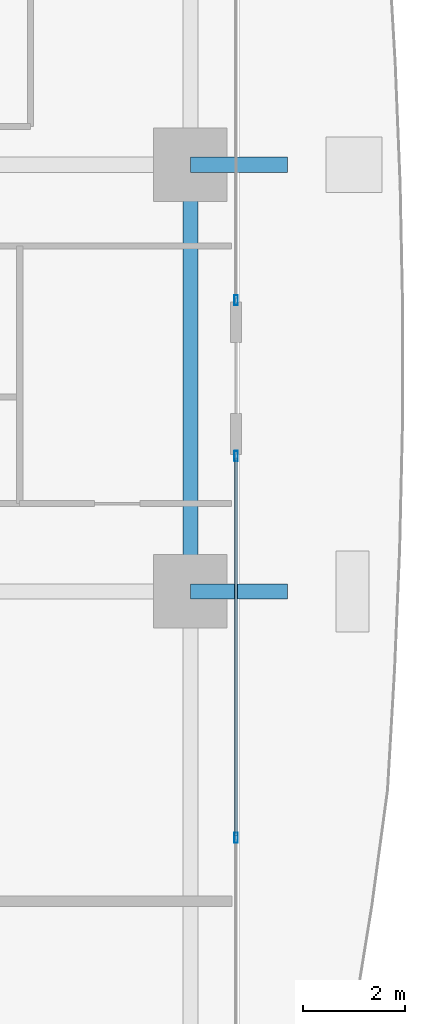
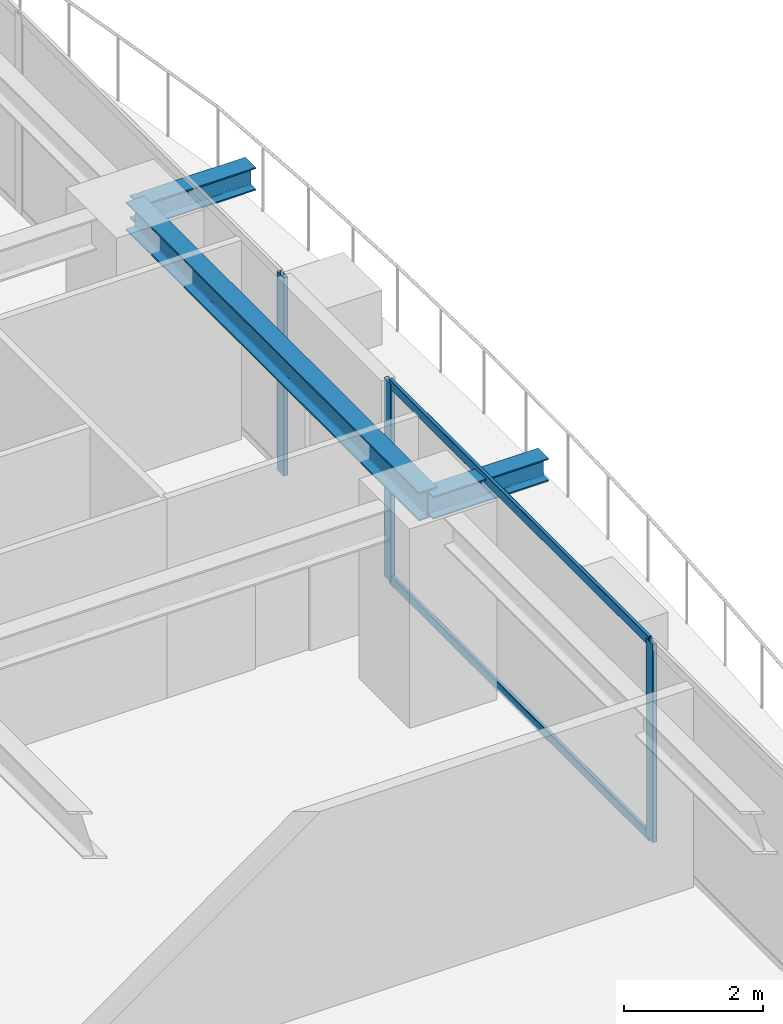
# One storey, part 14 of 39: 5 members, 3 beams, 2 elements without a shape of their own.
"""IFC4 building model written with IfcOpenShell, lengths in metres."""

from ifc_helpers import new_model, si_unit, direction, frame, origin, origin_2d, place, context, subcontext, project, spatial, hollow_rectangle, i_section, extrude, source, transform, mapped, material, layer, layer_set, material_profile, profile_set, type_object, element, aggregate, save


model = new_model("IFC4")

# Units and contexts
model_context = context("Model", 3, precision=1e-05, world=origin(), true_north=direction((0.0, 1.0)))
body_context = subcontext(model_context, "Body", "Model", "MODEL_VIEW")
ifc_project = project(units=[si_unit("LENGTHUNIT", "METRE"), si_unit("AREAUNIT", "SQUARE_METRE"), si_unit("VOLUMEUNIT", "CUBIC_METRE"), si_unit("PLANEANGLEUNIT", "RADIAN"), si_unit("MASSUNIT", "GRAM", prefix="KILO")], contexts=[model_context])

# Site, building, storey
site_placement = place(None, origin())
site = spatial("IfcSite", under=ifc_project, at=site_placement, CompositionType="ELEMENT")
building_placement = place(site_placement, origin())
building = spatial("IfcBuilding", under=site, at=building_placement, Name="Serunith Strait Residences", CompositionType="ELEMENT")
storey_placement = place(building_placement, frame((0.0, 0.0, 97.949951171875)))
storey = spatial("IfcBuildingStorey", under=building, at=storey_placement, Name="L24", CompositionType="ELEMENT", Elevation=97.949951171875)

# Beams
ifc_material_1 = material(Name="Steel S355J2", Category="steel")
ifc_material_profile_1 = material_profile(ifc_material_1, i_section(OverallWidth=0.300048828125, OverallDepth=0.5, WebThickness=0.014404296875, FlangeThickness=0.028076171875, FilletRadius=0.027099609375, at=origin_2d()), Name="HEB 500")
ifc_profile_set_1 = profile_set([ifc_material_profile_1], Name="Steel S355J2")
beam_type_1 = type_object("IfcBeamType", Name="BM-HEB500", PredefinedType="BEAM", material=ifc_profile_set_1)
shared_shape_1 = source(origin(), body_context, "Body", "SweptSolid", [
    extrude(i_section(OverallWidth=0.300048828125, OverallDepth=0.5, WebThickness=0.014404296875, FlangeThickness=0.028076171875, FilletRadius=0.027099609375, at=origin_2d()), origin(), (0.0, 0.0, 1.0), 8.39990234375),
])
beam_placement = place(storey_placement, frame((57.89990234375, 21.0, 3.237060546875), z_axis=(0.0, 1.0, 0.0), x_axis=(-1.0, 0.0, 0.0)))
element("IfcBeam", 1, at=beam_placement, inside=storey, type_object=beam_type_1, Name="L24 Perimeter Ring Beam 06", PredefinedType="BEAM", context=body_context, shape_type="MappedRepresentation", body=[
    mapped(shared_shape_1, transform((0.0, 0.0, 0.0), scale=1.0)),
])
ifc_material_profile_2 = material_profile(ifc_material_1, i_section(OverallWidth=0.300048828125, OverallDepth=0.39990234375, WebThickness=0.013427734375, FlangeThickness=0.02392578125, FilletRadius=0.027099609375, at=origin_2d()), Name="HEB 400")
ifc_profile_set_2 = profile_set([ifc_material_profile_2], Name="Steel S355J2")
beam_type_2 = type_object("IfcBeamType", Name="BM-HEB400", PredefinedType="BEAM", material=ifc_profile_set_2)
shared_shape_2 = source(origin(), body_context, "Body", "SweptSolid", [
    extrude(i_section(OverallWidth=0.300048828125, OverallDepth=0.39990234375, WebThickness=0.013427734375, FlangeThickness=0.02392578125, FilletRadius=0.027099609375, at=origin_2d()), origin(), (0.0, 0.0, 1.0), 1.91015625),
])
for number, where, z_axis, x_axis, name in (
    (2, (57.89990234375, 21.0, 3.257080078125), (1.0, 0.0, 0.0), (0.0, 1.0, 0.0), "L25 Cantilevered Balcony Rib TC-E2"),
    (3, (57.89990234375, 29.39990234375, 3.257080078125), (1.0, 0.0, 0.0), (0.0, 1.0, 0.0), "L25 Cantilevered Balcony Rib TC-E3"),
):
    element("IfcBeam", number, at=place(storey_placement, frame(where, z_axis=z_axis, x_axis=x_axis)), inside=storey, type_object=beam_type_2, Name=name, PredefinedType="BEAM", context=body_context, shape_type="MappedRepresentation", body=[
        mapped(shared_shape_2, transform((0.0, 0.0, 0.0), scale=1.0)),
    ])

# Curtain wall, members
ifc_material_2 = material(Name="Pale-Champagne Anodised Aluminium", Category="aluminium")
ifc_layer = layer(ifc_material_2, 0.199951171875, Name="Pale-Champagne Anodised Aluminium")
ifc_layer_set = layer_set([ifc_layer], Name="Pale-Champagne Anodised Aluminium")
curtain_wall_type = type_object("IfcCurtainWallType", Name="CW-SYS1", PredefinedType="NOTDEFINED", material=ifc_layer_set)
curtain_wall_1_placement = place(storey_placement, origin())
curtain_wall_1 = element("IfcCurtainWall", 4, at=curtain_wall_1_placement, inside=storey, type_object=curtain_wall_type, Name="L24 E Unitised Fritted Curtain Wall", PredefinedType="NOTDEFINED")
ifc_material_profile_3 = material_profile(ifc_material_2, hollow_rectangle(XDim=0.070068359375, YDim=0.199951171875, WallThickness=0.00390625, InnerFilletRadius=0.006103515625, OuterFilletRadius=0.010009765625, at=origin_2d()), Name="ALU 200x70x4")
ifc_profile_set_3 = profile_set([ifc_material_profile_3], Name="Pale-Champagne Anodised Aluminium")
member_type_1 = type_object("IfcMemberType", Name="CW-SYS1-MULL", PredefinedType="MULLION", material=ifc_profile_set_3)
shared_shape_3 = source(origin(), body_context, "Body", "SweptSolid", [
    extrude(hollow_rectangle(XDim=0.070068359375, YDim=0.199951171875, WallThickness=0.00390625, InnerFilletRadius=0.006103515625, OuterFilletRadius=0.010009765625, at=origin_2d()), origin(), (0.0, 0.0, 1.0), 3.47509765625),
])
member_1_placement = place(storey_placement, frame((58.800048828125, 16.14990234375, 0.0), z_axis=(0.0, 0.0, 1.0), x_axis=(-1.0, 0.0, 0.0)))
member_1 = element("IfcMember", 5, at=member_1_placement, type_object=member_type_1, Name="CW-1 mullion 2", PredefinedType="MULLION", context=body_context, shape_type="MappedRepresentation", body=[
    mapped(shared_shape_3, transform((0.0, 0.0, 0.0), scale=1.0)),
])
member_2_placement = place(storey_placement, frame((58.800048828125, 23.6650390625, 0.0), z_axis=(0.0, 0.0, 1.0), x_axis=(-1.0, 0.0, 0.0)))
member_2 = element("IfcMember", 6, at=member_2_placement, type_object=member_type_1, Name="CW-1 mullion 3", PredefinedType="MULLION", context=body_context, shape_type="MappedRepresentation", body=[
    mapped(shared_shape_3, transform((0.0, 0.0, 0.0), scale=1.0)),
])

# Curtain wall, member
curtain_wall_2_placement = place(storey_placement, origin())
curtain_wall_2 = element("IfcCurtainWall", 7, at=curtain_wall_2_placement, inside=storey, type_object=curtain_wall_type, Name="L24 E Unitised Fritted Curtain Wall", PredefinedType="NOTDEFINED")
member_3_placement = place(storey_placement, frame((58.800048828125, 26.735107421875, 0.0), z_axis=(0.0, 0.0, 1.0), x_axis=(-1.0, 0.0, 0.0)))
member_3 = element("IfcMember", 8, at=member_3_placement, type_object=member_type_1, Name="CW-1 mullion 1", PredefinedType="MULLION", context=body_context, shape_type="MappedRepresentation", body=[
    mapped(shared_shape_3, transform((0.0, 0.0, 0.0), scale=1.0)),
])
aggregate(curtain_wall_2, [member_3])

# Member
ifc_material_profile_4 = material_profile(ifc_material_2, hollow_rectangle(XDim=0.06005859375, YDim=0.159912109375, WallThickness=0.00341796875, InnerFilletRadius=0.00537109375, OuterFilletRadius=0.0087890625, at=origin_2d()), Name="ALU 160x60x3.5")
ifc_profile_set_4 = profile_set([ifc_material_profile_4], Name="Pale-Champagne Anodised Aluminium")
member_type_2 = type_object("IfcMemberType", Name="CW-SYS1-TRAN", PredefinedType="USERDEFINED", material=ifc_profile_set_4)
shared_shape_4 = source(origin(), body_context, "Body", "SweptSolid", [
    extrude(hollow_rectangle(XDim=0.06005859375, YDim=0.159912109375, WallThickness=0.00341796875, InnerFilletRadius=0.00537109375, OuterFilletRadius=0.0087890625, at=origin_2d()), origin(), (0.0, 0.0, 1.0), 7.44482421875),
])
member_4_placement = place(storey_placement, frame((58.800048828125, 16.18505859375, 0.030029296875), z_axis=(0.0, 1.0, 0.0), x_axis=(-1.0, 0.0, 0.0)))
member_4 = element("IfcMember", 9, at=member_4_placement, type_object=member_type_2, Name="CW-1 transom 2.1", ObjectType="TRANSOM", PredefinedType="USERDEFINED", context=body_context, shape_type="MappedRepresentation", body=[
    mapped(shared_shape_4, transform((0.0, 0.0, 0.0), scale=1.0)),
])

member_5_placement = place(storey_placement, frame((58.800048828125, 16.18505859375, 3.445068359375), z_axis=(0.0, 1.0, 0.0), x_axis=(-1.0, 0.0, 0.0)))
member_5 = element("IfcMember", 10, at=member_5_placement, type_object=member_type_2, Name="CW-1 transom 2.2", ObjectType="TRANSOM", PredefinedType="USERDEFINED", context=body_context, shape_type="MappedRepresentation", body=[
    mapped(shared_shape_4, transform((0.0, 0.0, 0.0), scale=1.0)),
])

aggregate(curtain_wall_1, [member_1, member_2, member_4, member_5])

save(model, "model.ifc")
